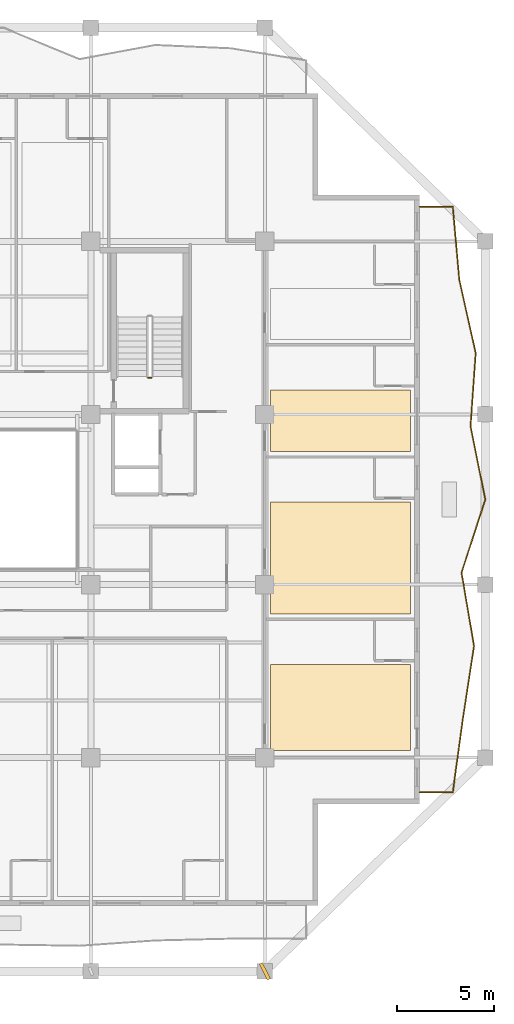
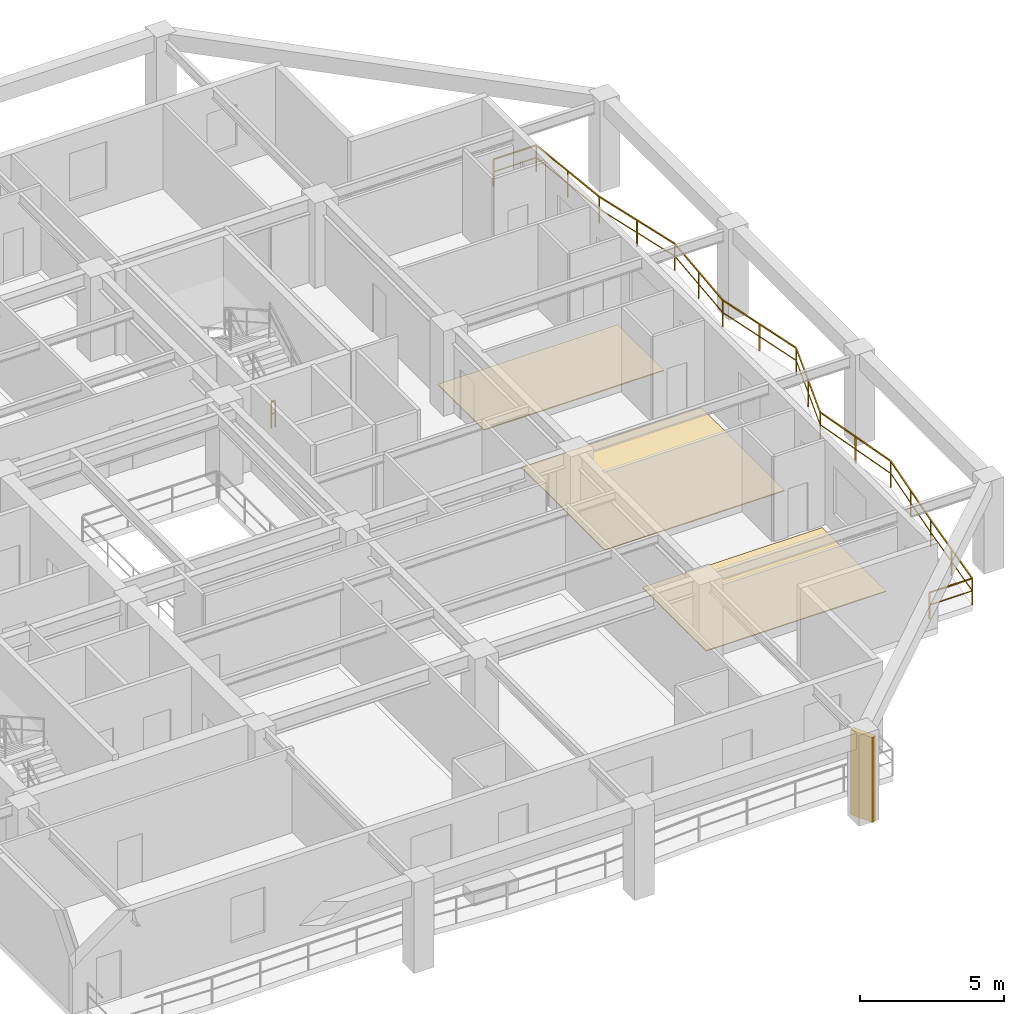
# One storey, part 10 of 13: 3 coverings, 2 railings, 1 shading device.
"""IFC4 building model written with IfcOpenShell, lengths in metres."""

import ifcopenshell
import ifcopenshell.guid

model = None  # the IFC model being written
_history = None  # IfcOwnerHistory: only IFC2X3 demands one
_inside = {}  # id of a spatial element -> (the spatial element, [elements in it])
_under = {}  # id of a project, library or spatial element -> (it, [spatial elements below it])
_declared = {}  # id of a project -> (the project, [libraries it declares])
_typed = {}  # id of a type object -> (the type object, [elements of that type])
_made_of = {}  # id of a material, layer set ... -> (it, [elements and type objects made of it])


def new_model(schema):
    """Start an empty IFC model of exactly this schema.

    Asked for "IFC4X3", IfcOpenShell would pick the latest addendum, in which some entities
    have other attributes; the version numbers below select the first issue.
    IFC2X3 requires an IfcOwnerHistory on every rooted entity: one is made here for all.
    """
    global model, _history
    if schema == "IFC4X3":
        model = ifcopenshell.file(schema_version=(4, 3, 0, 0))
    else:
        model = ifcopenshell.file(schema=schema)
    _inside.clear()
    _under.clear()
    _declared.clear()
    _typed.clear()
    _made_of.clear()
    _history = None
    if model.schema == "IFC2X3":
        org = make("IfcOrganization", Name="unknown")
        user = make(
            "IfcPersonAndOrganization",
            ThePerson=make("IfcPerson", FamilyName="unknown"),
            TheOrganization=org,
        )
        app = make(
            "IfcApplication",
            ApplicationDeveloper=org,
            Version="unknown",
            ApplicationFullName="unknown",
            ApplicationIdentifier="unknown",
        )
        _history = make(
            "IfcOwnerHistory",
            OwningUser=user,
            OwningApplication=app,
            ChangeAction="ADDED",
            CreationDate=0,
        )
    return model


def make(cls, **values):
    """One entity of the class cls with the attributes given. An attribute that is None is left unset."""
    return model.create_entity(
        cls, **{name: value for name, value in values.items() if value is not None}
    )


def rooted(cls, **values):
    """An entity with a GlobalId (a new one), such as an element, a storey or a relation."""
    return make(cls, GlobalId=ifcopenshell.guid.new(), OwnerHistory=_history, **values)


def si_unit(unit_type, name, prefix=None):
    """IfcSIUnit, for example si_unit("LENGTHUNIT", "METRE", prefix="MILLI")."""
    return make("IfcSIUnit", UnitType=unit_type, Prefix=prefix, Name=name)


def assignment(units):
    """IfcUnitAssignment: the units of a project."""
    return None if units is None else make("IfcUnitAssignment", Units=units)


def point(xyz):
    """IfcCartesianPoint."""
    return None if xyz is None else make("IfcCartesianPoint", Coordinates=xyz)


def direction(xyz):
    """IfcDirection."""
    return None if xyz is None else make("IfcDirection", DirectionRatios=xyz)


def frame(location, z_axis=None, x_axis=None):
    """IfcAxis2Placement3D, a coordinate frame: its origin and axes. An axis left out is left unset."""
    return make(
        "IfcAxis2Placement3D",
        Location=point(location),
        Axis=direction(z_axis),
        RefDirection=direction(x_axis),
    )


def frame_2d(location, x_axis=None):
    """IfcAxis2Placement2D, a coordinate frame in the plane: its origin and x axis."""
    return make(
        "IfcAxis2Placement2D", Location=point(location), RefDirection=direction(x_axis)
    )


def origin():
    """The frame at (0, 0, 0) with its axes left unset."""
    return frame((0.0, 0.0, 0.0))


def origin_2d():
    """The frame at (0, 0) in the plane with its x axis left unset."""
    return frame_2d((0.0, 0.0))


def place(relative_to, where):
    """IfcLocalPlacement: puts the frame where relative to a parent placement (None: the world)."""
    return make(
        "IfcLocalPlacement", PlacementRelTo=relative_to, RelativePlacement=where
    )


def context(
    kind, dimensions, precision=None, world=None, true_north=None, identifier=None
):
    """IfcGeometricRepresentationContext, for example the 3D "Model" context."""
    return make(
        "IfcGeometricRepresentationContext",
        ContextIdentifier=identifier,
        ContextType=kind,
        CoordinateSpaceDimension=dimensions,
        Precision=precision,
        WorldCoordinateSystem=world,
        TrueNorth=true_north,
    )


def subcontext(parent, identifier, kind, view, scale=None):
    """IfcGeometricRepresentationSubContext, for example "Body" below "Model"."""
    return make(
        "IfcGeometricRepresentationSubContext",
        ContextIdentifier=identifier,
        ContextType=kind,
        ParentContext=parent,
        TargetScale=scale,
        TargetView=view,
    )


def project(units=None, contexts=None):
    """IfcProject with its units and contexts."""
    return rooted(
        "IfcProject",
        Name="project",
        RepresentationContexts=contexts,
        UnitsInContext=assignment(units),
    )


def spatial(cls, under=None, at=None, **own):
    """A site, building, storey or space (cls), placed at a placement, below another one or the project."""
    s = rooted(cls, ObjectPlacement=at, **own)
    if under is not None:
        _under.setdefault(under.id(), (under, []))[1].append(s)
    return s


def polyline(points):
    """IfcPolyline through the points."""
    return make("IfcPolyline", Points=[point(p) for p in points])


def profile(cls, at=None, kind="AREA", **sizes):
    """A parametric profile (cls). Its sizes go by their IFC names, for example OverallWidth=200.0."""
    return make(cls, ProfileType=kind, Position=at, **sizes)


def rectangle(**sizes):
    """IfcRectangleProfileDef."""
    return profile("IfcRectangleProfileDef", **sizes)


def outline(outer, holes=None, kind="AREA"):
    """IfcArbitraryClosedProfileDef: a profile drawn as a closed curve; with holes, ...WithVoids."""
    if holes is None:
        return make("IfcArbitraryClosedProfileDef", ProfileType=kind, OuterCurve=outer)
    return make(
        "IfcArbitraryProfileDefWithVoids",
        ProfileType=kind,
        OuterCurve=outer,
        InnerCurves=holes,
    )


def extrude(swept, where, along, depth):
    """IfcExtrudedAreaSolid: the profile swept, set in the frame where, extruded along a direction by depth."""
    return make(
        "IfcExtrudedAreaSolid",
        SweptArea=swept,
        Position=where,
        ExtrudedDirection=direction(along),
        Depth=depth,
    )


def shape(context_of_items, identifier, shape_type, items):
    """IfcShapeRepresentation: the items that make up one representation, for example the "Body"."""
    return make(
        "IfcShapeRepresentation",
        ContextOfItems=context_of_items,
        RepresentationIdentifier=identifier,
        RepresentationType=shape_type,
        Items=items,
    )


def material(Name=None, Category=None):
    """IfcMaterial."""
    return make("IfcMaterial", Name=Name, Category=Category)


def layer(
    of_material, thickness, ventilated=None, Name=None, Category=None, Priority=None
):
    """IfcMaterialLayer: one layer of a wall or slab, of a material (None: an air gap)."""
    return make(
        "IfcMaterialLayer",
        Material=of_material,
        LayerThickness=thickness,
        IsVentilated=ventilated,
        Name=Name,
        Category=Category,
        Priority=Priority,
    )


def layer_set(layers, Name=None):
    """IfcMaterialLayerSet."""
    return make("IfcMaterialLayerSet", MaterialLayers=layers, LayerSetName=Name)


def made_of(thing, what):
    """Note that an element or type object is made of a material, layer set ...; save() writes the relation."""
    if what is not None:
        _made_of.setdefault(what.id(), (what, []))[1].append(thing)
    return thing


def type_object(cls, material=None, **own):
    """A type object (cls), such as IfcWallType, which elements share."""
    return made_of(rooted(cls, **own), material)


def element(
    cls,
    number,
    at=None,
    inside=None,
    cuts=None,
    type_object=None,
    material=None,
    context=None,
    identifier="Body",
    shape_type=None,
    held_by="IfcProductDefinitionShape",
    body=None,
    shapes=None,
    **own,
):
    """One element of the class cls, such as IfcWall. Its Tag is "e" and its number.

    at: its placement. inside: the storey or other place that contains it. cuts: it is an
    opening in that element (IfcRelVoidsElement). A single representation is given by context,
    identifier, shape_type and body (its items); several are given by shapes. held_by: the class
    of the entity that holds the representations. save() writes the other relations.
    """
    e = rooted(cls, Tag="e%d" % number, ObjectPlacement=at, **own)
    if body is not None:
        shapes = [shape(context, identifier, shape_type, body)]
    if shapes is not None:
        e.Representation = make(held_by, Representations=shapes)
    if inside is not None:
        _inside.setdefault(inside.id(), (inside, []))[1].append(e)
    if cuts is not None:
        rooted(
            "IfcRelVoidsElement", RelatingBuildingElement=cuts, RelatedOpeningElement=e
        )
    if type_object is not None:
        _typed.setdefault(type_object.id(), (type_object, []))[1].append(e)
    return made_of(e, material)


def aggregate(whole, parts):
    """IfcRelAggregates: a whole, such as a stair, and the parts it consists of."""
    return rooted("IfcRelAggregates", RelatingObject=whole, RelatedObjects=parts)


def save(model, path):
    """Write the relations noted so far, then the file.

    IfcRelAggregates (storeys below a building ...), IfcRelContainedInSpatialStructure (elements
    in a storey), IfcRelDefinesByType, IfcRelAssociatesMaterial and IfcRelDeclares: one each for
    every whole, place, type object, material and project.
    """
    for whole, parts in _under.values():
        aggregate(whole, parts)
    for where, things in _inside.values():
        rooted(
            "IfcRelContainedInSpatialStructure",
            RelatedElements=things,
            RelatingStructure=where,
        )
    for kind, things in _typed.values():
        rooted("IfcRelDefinesByType", RelatedObjects=things, RelatingType=kind)
    for what, things in _made_of.values():
        rooted("IfcRelAssociatesMaterial", RelatedObjects=things, RelatingMaterial=what)
    for by, libraries in _declared.values():
        rooted("IfcRelDeclares", RelatingContext=by, RelatedDefinitions=libraries)
    model.write(path)


model = new_model("IFC4")

# Units and contexts
model_context = context("Model", 3, precision=1e-05, world=origin(), true_north=direction((0.0, 1.0)))
body_context = subcontext(model_context, "Body", "Model", "MODEL_VIEW")
ifc_project = project(units=[si_unit("LENGTHUNIT", "METRE"), si_unit("AREAUNIT", "SQUARE_METRE"), si_unit("VOLUMEUNIT", "CUBIC_METRE"), si_unit("PLANEANGLEUNIT", "RADIAN"), si_unit("MASSUNIT", "GRAM", prefix="KILO")], contexts=[model_context])

# Site, building, storey
site_placement = place(None, origin())
site = spatial("IfcSite", under=ifc_project, at=site_placement, CompositionType="ELEMENT")
building_placement = place(site_placement, origin())
building = spatial("IfcBuilding", under=site, at=building_placement, Name="Kundavana Baori Tower", CompositionType="ELEMENT")
storey_placement = place(building_placement, frame((0.0, 0.0, 169.449951171875)))
storey = spatial("IfcBuildingStorey", under=building, at=storey_placement, Name="L41", CompositionType="ELEMENT", Elevation=169.449951171875)

# Coverings
ifc_material_1 = material(Name="Honed Kota Stone and Terrazzo Flooring", Category="masonry")
ifc_layer = layer(ifc_material_1, 0.0400390625, Name="COV-FLR-TERR-40")
ifc_layer_set = layer_set([ifc_layer], Name="Honed Kota Stone and Terrazzo Flooring")
covering_type = type_object("IfcCoveringType", Name="COV-FLR-TERR-40", PredefinedType="FLOORING", material=ifc_layer_set)
covering_1_placement = place(storey_placement, origin())
element("IfcCovering", 1, at=covering_1_placement, inside=storey, type_object=covering_type, Name="L41 Room Finished Stone Flooring 7", PredefinedType="FLOORING", context=body_context, shape_type="SweptSolid", body=[
    extrude(outline(polyline([(43.10009765625, 15.6298828125), (50.320068359375, 15.6298828125), (50.320068359375, 20.070068359375), (43.10009765625, 20.070068359375), (43.10009765625, 15.6298828125)])), origin(), (0.0, 0.0, 1.0), 0.0400390625),
])
covering_2_placement = place(storey_placement, origin())
element("IfcCovering", 2, at=covering_2_placement, inside=storey, type_object=covering_type, Name="L41 Room Finished Stone Flooring 8", PredefinedType="FLOORING", context=body_context, shape_type="SweptSolid", body=[
    extrude(outline(polyline([(43.10009765625, 22.679931640625), (50.320068359375, 22.679931640625), (50.320068359375, 28.469970703125), (43.10009765625, 28.469970703125), (43.10009765625, 22.679931640625)])), origin(), (0.0, 0.0, 1.0), 0.0400390625),
])
covering_3_placement = place(storey_placement, origin())
element("IfcCovering", 3, at=covering_3_placement, inside=storey, type_object=covering_type, Name="L41 Room Finished Stone Flooring 9", PredefinedType="FLOORING", context=body_context, shape_type="SweptSolid", body=[
    extrude(outline(polyline([(43.10009765625, 31.080078125), (50.320068359375, 31.080078125), (50.320068359375, 34.27001953125), (43.10009765625, 34.27001953125), (43.10009765625, 31.080078125)])), origin(), (0.0, 0.0, 1.0), 0.0400390625),
])

# Railings
ifc_material_2 = material(Name="Architectural Patinated Bronze Metalwork")
railing_type_1 = type_object("IfcRailingType", Name="RL-BAL-1150", PredefinedType="BALUSTRADE", material=ifc_material_2)
railing_1_placement = place(storey_placement, frame((50.800048828125, 43.75, 0.0)))
element("IfcRailing", 4, at=railing_1_placement, inside=storey, type_object=railing_type_1, Name="L41 Loggia Balcony Balustrade E", PredefinedType="BALUSTRADE", context=body_context, shape_type="SweptSolid", body=[
    extrude(rectangle(XDim=0.048095703125, YDim=0.048095703125, at=origin_2d()), frame((0.0, 0.0, 1.1259765625), z_axis=(1.0, 0.0, 0.0), x_axis=(0.0, 1.0, 0.0)), (0.0, 0.0, 1.0), 1.719970703125),
    extrude(rectangle(XDim=0.03125, YDim=0.03125, at=origin_2d()), frame((0.0, 0.0, 0.597900390625), z_axis=(1.0, 0.0, 0.0), x_axis=(0.0, 1.0, 0.0)), (0.0, 0.0, 1.0), 1.719970703125),
    extrude(rectangle(XDim=0.048095703125, YDim=0.048095703125, at=origin_2d()), frame((1.719970703125, 0.0, 1.1259765625), z_axis=(0.088845505255, -0.996045418742, 0.0), x_axis=(0.996045418742, 0.088845505255, 0.0)), (0.0, 0.0, 1.0), 3.80322265625),
    extrude(rectangle(XDim=0.03125, YDim=0.03125, at=origin_2d()), frame((1.719970703125, 0.0, 0.597900390625), z_axis=(0.088845505255, -0.996045418742, 0.0), x_axis=(0.996045418742, 0.088845505255, 0.0)), (0.0, 0.0, 1.0), 3.80322265625),
    extrude(rectangle(XDim=0.048095703125, YDim=0.048095703125, at=origin_2d()), frame((2.057861328125, -3.7880859375, 1.1259765625), z_axis=(0.218795108321, -0.975770823798, 0.0), x_axis=(0.975770823798, 0.218795108321, 0.0)), (0.0, 0.0, 1.0), 3.880859375),
    extrude(rectangle(XDim=0.03125, YDim=0.03125, at=origin_2d()), frame((2.057861328125, -3.7880859375, 0.597900390625), z_axis=(0.218795108321, -0.975770823798, 0.0), x_axis=(0.975770823798, 0.218795108321, 0.0)), (0.0, 0.0, 1.0), 3.880859375),
    extrude(rectangle(XDim=0.048095703125, YDim=0.048095703125, at=origin_2d()), frame((2.906982421875, -7.574951171875, 1.1259765625), z_axis=(-0.070351300401, -0.997522277712, 0.0), x_axis=(0.997522277712, -0.070351300401, 0.0)), (0.0, 0.0, 1.0), 3.796630859375),
    extrude(rectangle(XDim=0.03125, YDim=0.03125, at=origin_2d()), frame((2.906982421875, -7.574951171875, 0.597900390625), z_axis=(-0.070351300401, -0.997522277712, 0.0), x_axis=(0.997522277712, -0.070351300401, 0.0)), (0.0, 0.0, 1.0), 3.796630859375),
    extrude(rectangle(XDim=0.048095703125, YDim=0.048095703125, at=origin_2d()), frame((2.639892578125, -11.362060546875, 1.1259765625), z_axis=(0.19672373461, -0.980458959998, 0.0), x_axis=(0.980458959998, 0.19672373461, 0.0)), (0.0, 0.0, 1.0), 3.86328125),
    extrude(rectangle(XDim=0.03125, YDim=0.03125, at=origin_2d()), frame((2.639892578125, -11.362060546875, 0.597900390625), z_axis=(0.19672373461, -0.980458959998, 0.0), x_axis=(0.980458959998, 0.19672373461, 0.0)), (0.0, 0.0, 1.0), 3.86328125),
    extrude(rectangle(XDim=0.048095703125, YDim=0.048095703125, at=origin_2d()), frame((3.39990234375, -15.14990234375, 1.1259765625), z_axis=(-0.307660273165, -0.95149627236, 0.0), x_axis=(0.95149627236, -0.307660273165, 0.0)), (0.0, 0.0, 1.0), 3.981201171875),
    extrude(rectangle(XDim=0.03125, YDim=0.03125, at=origin_2d()), frame((3.39990234375, -15.14990234375, 0.597900390625), z_axis=(-0.307660273165, -0.95149627236, 0.0), x_axis=(0.95149627236, -0.307660273165, 0.0)), (0.0, 0.0, 1.0), 3.981201171875),
    extrude(rectangle(XDim=0.048095703125, YDim=0.048095703125, at=origin_2d()), frame((2.175048828125, -18.93798828125, 1.1259765625), z_axis=(0.16839585765, -0.985719450516, 0.0), x_axis=(0.985719450516, 0.16839585765, 0.0)), (0.0, 0.0, 1.0), 3.842041015625),
    extrude(rectangle(XDim=0.03125, YDim=0.03125, at=origin_2d()), frame((2.175048828125, -18.93798828125, 0.597900390625), z_axis=(0.16839585765, -0.985719450516, 0.0), x_axis=(0.985719450516, 0.16839585765, 0.0)), (0.0, 0.0, 1.0), 3.842041015625),
    extrude(rectangle(XDim=0.048095703125, YDim=0.048095703125, at=origin_2d()), frame((2.822021484375, -22.72509765625, 1.1259765625), z_axis=(-0.151913531628, -0.988393787368, 0.0), x_axis=(0.988393787368, -0.151913531628, 0.0)), (0.0, 0.0, 1.0), 3.831298828125),
    extrude(rectangle(XDim=0.03125, YDim=0.03125, at=origin_2d()), frame((2.822021484375, -22.72509765625, 0.597900390625), z_axis=(-0.151913531628, -0.988393787368, 0.0), x_axis=(0.988393787368, -0.151913531628, 0.0)), (0.0, 0.0, 1.0), 3.831298828125),
    extrude(rectangle(XDim=0.048095703125, YDim=0.048095703125, at=origin_2d()), frame((2.239990234375, -26.511962890625, 1.1259765625), z_axis=(-0.136002139567, -0.990708543434, 0.0), x_axis=(0.990708543434, -0.136002139567, 0.0)), (0.0, 0.0, 1.0), 3.82373046875),
    extrude(rectangle(XDim=0.03125, YDim=0.03125, at=origin_2d()), frame((2.239990234375, -26.511962890625, 0.597900390625), z_axis=(-0.136002139567, -0.990708543434, 0.0), x_axis=(0.990708543434, -0.136002139567, 0.0)), (0.0, 0.0, 1.0), 3.82373046875),
    extrude(rectangle(XDim=0.048095703125, YDim=0.048095703125, at=origin_2d()), frame((1.719970703125, -30.300048828125, 1.1259765625), z_axis=(-1.0, 0.0, 0.0), x_axis=(0.0, -1.0, 0.0)), (0.0, 0.0, 1.0), 1.719970703125),
    extrude(rectangle(XDim=0.03125, YDim=0.03125, at=origin_2d()), frame((1.719970703125, -30.300048828125, 0.597900390625), z_axis=(-1.0, 0.0, 0.0), x_axis=(0.0, -1.0, 0.0)), (0.0, 0.0, 1.0), 1.719970703125),
    extrude(rectangle(XDim=0.0419921875, YDim=0.0419921875, at=origin_2d()), origin(), (0.0, 0.0, 1.0), 1.101806640625),
    extrude(rectangle(XDim=0.0419921875, YDim=0.0419921875, at=origin_2d()), frame((1.719970703125, 0.0, 0.0)), (0.0, 0.0, 1.0), 1.101806640625),
    extrude(rectangle(XDim=0.0419921875, YDim=0.0419921875, at=origin_2d()), frame((1.888916015625, -1.89404296875, 0.0)), (0.0, 0.0, 1.0), 1.101806640625),
    extrude(rectangle(XDim=0.0419921875, YDim=0.0419921875, at=origin_2d()), frame((2.057861328125, -3.7880859375, 0.0)), (0.0, 0.0, 1.0), 1.101806640625),
    extrude(rectangle(XDim=0.0419921875, YDim=0.0419921875, at=origin_2d()), frame((2.482421875, -5.681640625, 0.0)), (0.0, 0.0, 1.0), 1.101806640625),
    extrude(rectangle(XDim=0.0419921875, YDim=0.0419921875, at=origin_2d()), frame((2.906982421875, -7.574951171875, 0.0)), (0.0, 0.0, 1.0), 1.101806640625),
    extrude(rectangle(XDim=0.0419921875, YDim=0.0419921875, at=origin_2d()), frame((2.7734375, -9.468505859375, 0.0)), (0.0, 0.0, 1.0), 1.101806640625),
    extrude(rectangle(XDim=0.0419921875, YDim=0.0419921875, at=origin_2d()), frame((2.639892578125, -11.362060546875, 0.0)), (0.0, 0.0, 1.0), 1.101806640625),
    extrude(rectangle(XDim=0.0419921875, YDim=0.0419921875, at=origin_2d()), frame((3.02001953125, -13.255859375, 0.0)), (0.0, 0.0, 1.0), 1.101806640625),
    extrude(rectangle(XDim=0.0419921875, YDim=0.0419921875, at=origin_2d()), frame((3.39990234375, -15.14990234375, 0.0)), (0.0, 0.0, 1.0), 1.101806640625),
    extrude(rectangle(XDim=0.0419921875, YDim=0.0419921875, at=origin_2d()), frame((2.78759765625, -17.0439453125, 0.0)), (0.0, 0.0, 1.0), 1.101806640625),
    extrude(rectangle(XDim=0.0419921875, YDim=0.0419921875, at=origin_2d()), frame((2.175048828125, -18.93798828125, 0.0)), (0.0, 0.0, 1.0), 1.101806640625),
    extrude(rectangle(XDim=0.0419921875, YDim=0.0419921875, at=origin_2d()), frame((2.49853515625, -20.83154296875, 0.0)), (0.0, 0.0, 1.0), 1.101806640625),
    extrude(rectangle(XDim=0.0419921875, YDim=0.0419921875, at=origin_2d()), frame((2.822021484375, -22.72509765625, 0.0)), (0.0, 0.0, 1.0), 1.101806640625),
    extrude(rectangle(XDim=0.0419921875, YDim=0.0419921875, at=origin_2d()), frame((2.531005859375, -24.61865234375, 0.0)), (0.0, 0.0, 1.0), 1.101806640625),
    extrude(rectangle(XDim=0.0419921875, YDim=0.0419921875, at=origin_2d()), frame((2.239990234375, -26.511962890625, 0.0)), (0.0, 0.0, 1.0), 1.101806640625),
    extrude(rectangle(XDim=0.0419921875, YDim=0.0419921875, at=origin_2d()), frame((1.97998046875, -28.406005859375, 0.0)), (0.0, 0.0, 1.0), 1.101806640625),
    extrude(rectangle(XDim=0.0419921875, YDim=0.0419921875, at=origin_2d()), frame((1.719970703125, -30.300048828125, 0.0)), (0.0, 0.0, 1.0), 1.101806640625),
    extrude(rectangle(XDim=0.0419921875, YDim=0.0419921875, at=origin_2d()), frame((0.0, -30.300048828125, 0.0)), (0.0, 0.0, 1.0), 1.101806640625),
])
ifc_material_3 = material(Name="Architectural Patinated Bronze Metalwork")
railing_type_2 = type_object("IfcRailingType", Name="RL-GRD-1150", PredefinedType="GUARDRAIL", material=ifc_material_3)
railing_2_placement = place(storey_placement, frame((36.929931640625, 34.89990234375, 0.0)))
element("IfcRailing", 5, at=railing_2_placement, inside=storey, type_object=railing_type_2, Name="L41 ST3 stair guard 4", PredefinedType="GUARDRAIL", context=body_context, shape_type="SweptSolid", body=[
    extrude(rectangle(XDim=0.048095703125, YDim=0.048095703125, at=origin_2d()), frame((0.0, 0.0, 1.1259765625), z_axis=(-1.0, 0.0, 0.0), x_axis=(0.0, -1.0, 0.0)), (0.0, 0.0, 1.0), 0.159912109375),
    extrude(rectangle(XDim=0.03125, YDim=0.03125, at=origin_2d()), frame((0.0, 0.0, 0.597900390625), z_axis=(-1.0, 0.0, 0.0), x_axis=(0.0, -1.0, 0.0)), (0.0, 0.0, 1.0), 0.159912109375),
    extrude(rectangle(XDim=0.0419921875, YDim=0.0419921875, at=origin_2d()), origin(), (0.0, 0.0, 1.0), 1.101806640625),
    extrude(rectangle(XDim=0.0419921875, YDim=0.0419921875, at=origin_2d()), frame((-0.159912109375, 0.0, 0.0)), (0.0, 0.0, 1.0), 1.101806640625),
])

# Shading device
ifc_material_4 = material(Name="Red-Buff Dholpur Sandstone Cladding on Concrete C40/50", Category="masonry")
shading_device_type = type_object("IfcShadingDeviceType", Name="SHD-FIN-920", PredefinedType="JALOUSIE", material=ifc_material_4)
shading_device_placement = place(storey_placement, frame((42.800048828125, 4.199951171875, 0.0), z_axis=(0.0, 0.0, 1.0), x_axis=(0.889336581107, 0.457253152537, 0.0)))
element("IfcShadingDevice", 6, at=shading_device_placement, inside=storey, type_object=shading_device_type, Name="L41 Sweeping Dholpur Sandstone Facade Fin 4", PredefinedType="JALOUSIE", context=body_context, shape_type="SweptSolid", body=[
    extrude(rectangle(XDim=0.179931640625, YDim=0.919921875, at=origin_2d()), origin(), (0.0, 0.0, 1.0), 3.60009765625),
])

save(model, "model.ifc")
